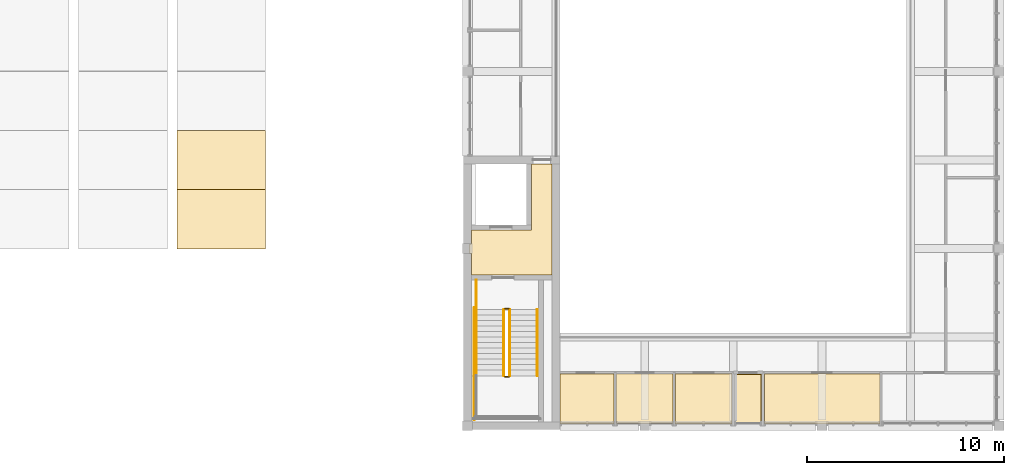
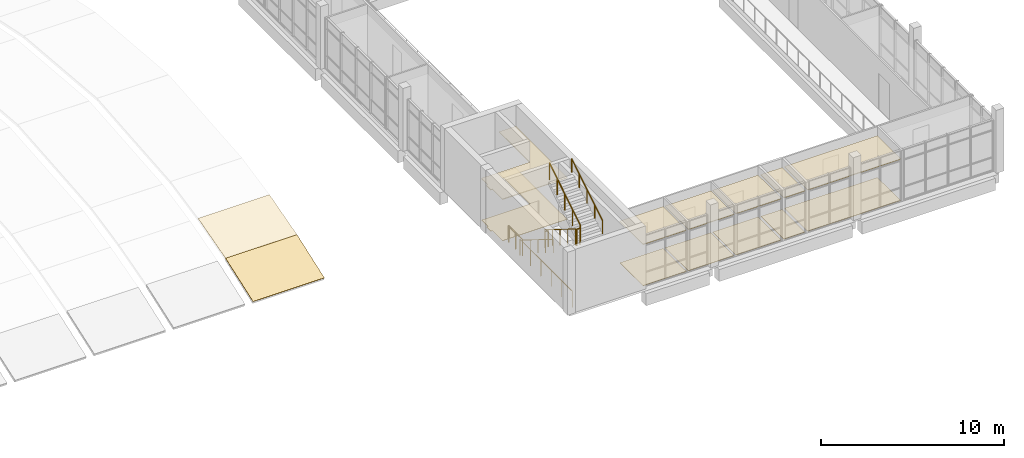
# One storey, part 58 of 74: 14 coverings, 8 railings.
"""IFC4 building model written with IfcOpenShell, lengths in metres."""

import ifcopenshell
import ifcopenshell.guid

model = None  # the IFC model being written
_history = None  # IfcOwnerHistory: only IFC2X3 demands one
_inside = {}  # id of a spatial element -> (the spatial element, [elements in it])
_under = {}  # id of a project, library or spatial element -> (it, [spatial elements below it])
_declared = {}  # id of a project -> (the project, [libraries it declares])
_typed = {}  # id of a type object -> (the type object, [elements of that type])
_made_of = {}  # id of a material, layer set ... -> (it, [elements and type objects made of it])


def new_model(schema):
    """Start an empty IFC model of exactly this schema.

    Asked for "IFC4X3", IfcOpenShell would pick the latest addendum, in which some entities
    have other attributes; the version numbers below select the first issue.
    IFC2X3 requires an IfcOwnerHistory on every rooted entity: one is made here for all.
    """
    global model, _history
    if schema == "IFC4X3":
        model = ifcopenshell.file(schema_version=(4, 3, 0, 0))
    else:
        model = ifcopenshell.file(schema=schema)
    _inside.clear()
    _under.clear()
    _declared.clear()
    _typed.clear()
    _made_of.clear()
    _history = None
    if model.schema == "IFC2X3":
        org = make("IfcOrganization", Name="unknown")
        user = make(
            "IfcPersonAndOrganization",
            ThePerson=make("IfcPerson", FamilyName="unknown"),
            TheOrganization=org,
        )
        app = make(
            "IfcApplication",
            ApplicationDeveloper=org,
            Version="unknown",
            ApplicationFullName="unknown",
            ApplicationIdentifier="unknown",
        )
        _history = make(
            "IfcOwnerHistory",
            OwningUser=user,
            OwningApplication=app,
            ChangeAction="ADDED",
            CreationDate=0,
        )
    return model


def make(cls, **values):
    """One entity of the class cls with the attributes given. An attribute that is None is left unset."""
    return model.create_entity(
        cls, **{name: value for name, value in values.items() if value is not None}
    )


def rooted(cls, **values):
    """An entity with a GlobalId (a new one), such as an element, a storey or a relation."""
    return make(cls, GlobalId=ifcopenshell.guid.new(), OwnerHistory=_history, **values)


def si_unit(unit_type, name, prefix=None):
    """IfcSIUnit, for example si_unit("LENGTHUNIT", "METRE", prefix="MILLI")."""
    return make("IfcSIUnit", UnitType=unit_type, Prefix=prefix, Name=name)


def assignment(units):
    """IfcUnitAssignment: the units of a project."""
    return None if units is None else make("IfcUnitAssignment", Units=units)


def point(xyz):
    """IfcCartesianPoint."""
    return None if xyz is None else make("IfcCartesianPoint", Coordinates=xyz)


def direction(xyz):
    """IfcDirection."""
    return None if xyz is None else make("IfcDirection", DirectionRatios=xyz)


def frame(location, z_axis=None, x_axis=None):
    """IfcAxis2Placement3D, a coordinate frame: its origin and axes. An axis left out is left unset."""
    return make(
        "IfcAxis2Placement3D",
        Location=point(location),
        Axis=direction(z_axis),
        RefDirection=direction(x_axis),
    )


def frame_2d(location, x_axis=None):
    """IfcAxis2Placement2D, a coordinate frame in the plane: its origin and x axis."""
    return make(
        "IfcAxis2Placement2D", Location=point(location), RefDirection=direction(x_axis)
    )


def origin():
    """The frame at (0, 0, 0) with its axes left unset."""
    return frame((0.0, 0.0, 0.0))


def origin_2d():
    """The frame at (0, 0) in the plane with its x axis left unset."""
    return frame_2d((0.0, 0.0))


def place(relative_to, where):
    """IfcLocalPlacement: puts the frame where relative to a parent placement (None: the world)."""
    return make(
        "IfcLocalPlacement", PlacementRelTo=relative_to, RelativePlacement=where
    )


def context(
    kind, dimensions, precision=None, world=None, true_north=None, identifier=None
):
    """IfcGeometricRepresentationContext, for example the 3D "Model" context."""
    return make(
        "IfcGeometricRepresentationContext",
        ContextIdentifier=identifier,
        ContextType=kind,
        CoordinateSpaceDimension=dimensions,
        Precision=precision,
        WorldCoordinateSystem=world,
        TrueNorth=true_north,
    )


def subcontext(parent, identifier, kind, view, scale=None):
    """IfcGeometricRepresentationSubContext, for example "Body" below "Model"."""
    return make(
        "IfcGeometricRepresentationSubContext",
        ContextIdentifier=identifier,
        ContextType=kind,
        ParentContext=parent,
        TargetScale=scale,
        TargetView=view,
    )


def project(units=None, contexts=None):
    """IfcProject with its units and contexts."""
    return rooted(
        "IfcProject",
        Name="project",
        RepresentationContexts=contexts,
        UnitsInContext=assignment(units),
    )


def spatial(cls, under=None, at=None, **own):
    """A site, building, storey or space (cls), placed at a placement, below another one or the project."""
    s = rooted(cls, ObjectPlacement=at, **own)
    if under is not None:
        _under.setdefault(under.id(), (under, []))[1].append(s)
    return s


def polyline(points):
    """IfcPolyline through the points."""
    return make("IfcPolyline", Points=[point(p) for p in points])


def profile(cls, at=None, kind="AREA", **sizes):
    """A parametric profile (cls). Its sizes go by their IFC names, for example OverallWidth=200.0."""
    return make(cls, ProfileType=kind, Position=at, **sizes)


def circle(**sizes):
    """IfcCircleProfileDef."""
    return profile("IfcCircleProfileDef", **sizes)


def outline(outer, holes=None, kind="AREA"):
    """IfcArbitraryClosedProfileDef: a profile drawn as a closed curve; with holes, ...WithVoids."""
    if holes is None:
        return make("IfcArbitraryClosedProfileDef", ProfileType=kind, OuterCurve=outer)
    return make(
        "IfcArbitraryProfileDefWithVoids",
        ProfileType=kind,
        OuterCurve=outer,
        InnerCurves=holes,
    )


def extrude(swept, where, along, depth):
    """IfcExtrudedAreaSolid: the profile swept, set in the frame where, extruded along a direction by depth."""
    return make(
        "IfcExtrudedAreaSolid",
        SweptArea=swept,
        Position=where,
        ExtrudedDirection=direction(along),
        Depth=depth,
    )


def shape(context_of_items, identifier, shape_type, items):
    """IfcShapeRepresentation: the items that make up one representation, for example the "Body"."""
    return make(
        "IfcShapeRepresentation",
        ContextOfItems=context_of_items,
        RepresentationIdentifier=identifier,
        RepresentationType=shape_type,
        Items=items,
    )


def material(Name=None, Category=None):
    """IfcMaterial."""
    return make("IfcMaterial", Name=Name, Category=Category)


def layer(
    of_material, thickness, ventilated=None, Name=None, Category=None, Priority=None
):
    """IfcMaterialLayer: one layer of a wall or slab, of a material (None: an air gap)."""
    return make(
        "IfcMaterialLayer",
        Material=of_material,
        LayerThickness=thickness,
        IsVentilated=ventilated,
        Name=Name,
        Category=Category,
        Priority=Priority,
    )


def layer_set(layers, Name=None):
    """IfcMaterialLayerSet."""
    return make("IfcMaterialLayerSet", MaterialLayers=layers, LayerSetName=Name)


def made_of(thing, what):
    """Note that an element or type object is made of a material, layer set ...; save() writes the relation."""
    if what is not None:
        _made_of.setdefault(what.id(), (what, []))[1].append(thing)
    return thing


def type_object(cls, material=None, **own):
    """A type object (cls), such as IfcWallType, which elements share."""
    return made_of(rooted(cls, **own), material)


def element(
    cls,
    number,
    at=None,
    inside=None,
    cuts=None,
    type_object=None,
    material=None,
    context=None,
    identifier="Body",
    shape_type=None,
    held_by="IfcProductDefinitionShape",
    body=None,
    shapes=None,
    **own,
):
    """One element of the class cls, such as IfcWall. Its Tag is "e" and its number.

    at: its placement. inside: the storey or other place that contains it. cuts: it is an
    opening in that element (IfcRelVoidsElement). A single representation is given by context,
    identifier, shape_type and body (its items); several are given by shapes. held_by: the class
    of the entity that holds the representations. save() writes the other relations.
    """
    e = rooted(cls, Tag="e%d" % number, ObjectPlacement=at, **own)
    if body is not None:
        shapes = [shape(context, identifier, shape_type, body)]
    if shapes is not None:
        e.Representation = make(held_by, Representations=shapes)
    if inside is not None:
        _inside.setdefault(inside.id(), (inside, []))[1].append(e)
    if cuts is not None:
        rooted(
            "IfcRelVoidsElement", RelatingBuildingElement=cuts, RelatedOpeningElement=e
        )
    if type_object is not None:
        _typed.setdefault(type_object.id(), (type_object, []))[1].append(e)
    return made_of(e, material)


def aggregate(whole, parts):
    """IfcRelAggregates: a whole, such as a stair, and the parts it consists of."""
    return rooted("IfcRelAggregates", RelatingObject=whole, RelatedObjects=parts)


def save(model, path):
    """Write the relations noted so far, then the file.

    IfcRelAggregates (storeys below a building ...), IfcRelContainedInSpatialStructure (elements
    in a storey), IfcRelDefinesByType, IfcRelAssociatesMaterial and IfcRelDeclares: one each for
    every whole, place, type object, material and project.
    """
    for whole, parts in _under.values():
        aggregate(whole, parts)
    for where, things in _inside.values():
        rooted(
            "IfcRelContainedInSpatialStructure",
            RelatedElements=things,
            RelatingStructure=where,
        )
    for kind, things in _typed.values():
        rooted("IfcRelDefinesByType", RelatedObjects=things, RelatingType=kind)
    for what, things in _made_of.values():
        rooted("IfcRelAssociatesMaterial", RelatedObjects=things, RelatingMaterial=what)
    for by, libraries in _declared.values():
        rooted("IfcRelDeclares", RelatingContext=by, RelatedDefinitions=libraries)
    model.write(path)


model = new_model("IFC4")

# Units and contexts
model_context = context("Model", 3, precision=1e-05, world=origin(), true_north=direction((0.0, 1.0)))
body_context = subcontext(model_context, "Body", "Model", "MODEL_VIEW")
ifc_project = project(units=[si_unit("LENGTHUNIT", "METRE"), si_unit("AREAUNIT", "SQUARE_METRE"), si_unit("VOLUMEUNIT", "CUBIC_METRE"), si_unit("PLANEANGLEUNIT", "RADIAN"), si_unit("MASSUNIT", "GRAM", prefix="KILO")], contexts=[model_context])

# Site, building, storey
site_placement = place(None, origin())
site = spatial("IfcSite", under=ifc_project, at=site_placement, CompositionType="ELEMENT")
building_placement = place(site_placement, origin())
building = spatial("IfcBuilding", under=site, at=building_placement, Name="Merrow Basin Faculty of Sciences", CompositionType="ELEMENT")
storey_placement = place(building_placement, frame((0.0, 0.0, 13.5)))
storey = spatial("IfcBuildingStorey", under=building, at=storey_placement, Name="L03", CompositionType="ELEMENT", Elevation=13.5)

# Coverings
ifc_material_1 = material(Name="Carpet tile floor")
ifc_layer_1 = layer(ifc_material_1, 0.02001953125)
ifc_layer_set_1 = layer_set([ifc_layer_1], Name="Carpet tile floor")
covering_type_1 = type_object("IfcCoveringType", Name="Carpet tile floor", PredefinedType="FLOORING", material=ifc_layer_set_1)
covering_1_placement = place(storey_placement, origin())
element("IfcCovering", 1, at=covering_1_placement, inside=storey, type_object=covering_type_1, Name="Floor finish L03-A-011", PredefinedType="FLOORING", context=body_context, shape_type="SweptSolid", body=[
    extrude(outline(polyline([(60.0849609375, 0.110107421875), (60.0849609375, 2.639892578125), (65.93994140625, 2.639892578125), (65.93994140625, 0.110107421875), (60.0849609375, 0.110107421875)])), origin(), (0.0, 0.0, 1.0), 0.02001953125),
])
ifc_material_2 = material(Name="Ceramic floor tile")
ifc_layer_2 = layer(ifc_material_2, 0.02001953125)
ifc_layer_set_2 = layer_set([ifc_layer_2], Name="Ceramic floor tile")
covering_type_2 = type_object("IfcCoveringType", Name="Ceramic floor tile", PredefinedType="FLOORING", material=ifc_layer_set_2)
covering_2_placement = place(storey_placement, origin())
element("IfcCovering", 2, at=covering_2_placement, inside=storey, type_object=covering_type_2, Name="Floor finish L03-A-007", PredefinedType="FLOORING", context=body_context, shape_type="SweptSolid", body=[
    extrude(outline(polyline([(49.7099609375, 0.110107421875), (49.7099609375, 2.639892578125), (52.43994140625, 2.639892578125), (52.43994140625, 0.110107421875), (49.7099609375, 0.110107421875)])), origin(), (0.0, 0.0, 1.0), 0.02001953125),
])
covering_3_placement = place(storey_placement, origin())
element("IfcCovering", 3, at=covering_3_placement, inside=storey, type_object=covering_type_2, Name="Floor finish L03-A-008", PredefinedType="FLOORING", context=body_context, shape_type="SweptSolid", body=[
    extrude(outline(polyline([(52.56005859375, 0.110107421875), (52.56005859375, 2.639892578125), (55.43994140625, 2.639892578125), (55.43994140625, 0.110107421875), (52.56005859375, 0.110107421875)])), origin(), (0.0, 0.0, 1.0), 0.02001953125),
])
covering_4_placement = place(storey_placement, origin())
element("IfcCovering", 4, at=covering_4_placement, inside=storey, type_object=covering_type_2, Name="Floor finish L03-A-009", PredefinedType="FLOORING", context=body_context, shape_type="SweptSolid", body=[
    extrude(outline(polyline([(55.56005859375, 0.110107421875), (55.56005859375, 2.639892578125), (58.4150390625, 2.639892578125), (58.4150390625, 0.110107421875), (55.56005859375, 0.110107421875)])), origin(), (0.0, 0.0, 1.0), 0.02001953125),
])
ifc_material_3 = material(Name="Polished terrazzo floor")
ifc_layer_3 = layer(ifc_material_3, 0.02001953125)
ifc_layer_set_3 = layer_set([ifc_layer_3], Name="Polished terrazzo floor")
covering_type_3 = type_object("IfcCoveringType", Name="Polished terrazzo floor", PredefinedType="FLOORING", material=ifc_layer_set_3)
covering_5_placement = place(storey_placement, origin())
element("IfcCovering", 5, at=covering_5_placement, inside=storey, type_object=covering_type_3, Name="Floor finish L03-A-003", PredefinedType="FLOORING", context=body_context, shape_type="SweptSolid", body=[
    extrude(outline(polyline([(45.110107421875, 9.239990234375), (45.2099609375, 9.239990234375), (45.2099609375, 9.93994140625), (48.260009765625, 9.93994140625), (48.260009765625, 13.2900390625), (49.2900390625, 13.2900390625), (49.2900390625, 7.659912109375), (45.2099609375, 7.659912109375), (45.2099609375, 8.760009765625), (45.110107421875, 8.760009765625), (45.110107421875, 9.239990234375)])), origin(), (0.0, 0.0, 1.0), 0.02001953125),
])
ifc_material_4 = material(Name="Sealed concrete floor", Category="concrete")
ifc_layer_4 = layer(ifc_material_4, 0.02001953125)
ifc_layer_set_4 = layer_set([ifc_layer_4], Name="Sealed concrete floor")
covering_type_4 = type_object("IfcCoveringType", Name="Sealed concrete floor", PredefinedType="FLOORING", material=ifc_layer_set_4)
covering_6_placement = place(storey_placement, origin())
element("IfcCovering", 6, at=covering_6_placement, inside=storey, type_object=covering_type_4, Name="Floor finish L03-A-010", PredefinedType="FLOORING", context=body_context, shape_type="SweptSolid", body=[
    extrude(outline(polyline([(58.5849609375, 0.110107421875), (58.5849609375, 2.614990234375), (59.9150390625, 2.614990234375), (59.9150390625, 0.110107421875), (58.5849609375, 0.110107421875)])), origin(), (0.0, 0.0, 1.0), 0.02001953125),
])
ifc_material_5 = material(Name="Bituminous roofing membrane")
ifc_layer_5 = layer(ifc_material_5, 0.030029296875)
ifc_layer_set_5 = layer_set([ifc_layer_5], Name="Shell waterproofing 30")
covering_type_5 = type_object("IfcCoveringType", Name="Shell waterproofing 30", PredefinedType="ROOFING", material=ifc_layer_set_5)
covering_7_placement = place(storey_placement, frame((30.25, 8.989990234375, 0.39794921875), z_axis=(0.0, -0.334256016582, 0.942482315685), x_axis=(1.0, 0.0, 0.0)))
element("IfcCovering", 7, at=covering_7_placement, inside=storey, type_object=covering_type_5, Name="Shell waterproofing", PredefinedType="ROOFING", context=body_context, shape_type="SweptSolid", body=[
    extrude(outline(polyline([(0.0, 0.0), (4.5, 0.0), (4.5, 3.183083597509805), (0.0, 3.183083597509805), (0.0, 0.0)])), origin(), (0.0, 0.0, -1.0), 0.030029296875),
])
covering_8_placement = place(storey_placement, frame((30.25, 11.991943359375, 1.462890625), z_axis=(0.0, -0.269365379975, 0.963038053283), x_axis=(1.0, 0.0, 0.0)))
element("IfcCovering", 8, at=covering_8_placement, inside=storey, type_object=covering_type_5, Name="Shell waterproofing", PredefinedType="ROOFING", context=body_context, shape_type="SweptSolid", body=[
    extrude(outline(polyline([(0.0, 0.0), (4.5, 0.0), (4.5, 3.115141701590427), (0.0, 3.115141701590427), (0.0, 0.0)])), origin(), (0.0, 0.0, -1.0), 0.030029296875),
])

# Railings
ifc_material_6 = material(Name="Steel ASTM A36", Category="steel")
railing_type_1 = type_object("IfcRailingType", Name="Steel guard 1100", PredefinedType="GUARDRAIL", material=ifc_material_6)
railing_1_placement = place(storey_placement, frame((46.85009765625, 5.89990234375, 0.173095703125)))
element("IfcRailing", 9, at=railing_1_placement, inside=storey, type_object=railing_type_1, Name="L03 ST-V3-W stair guard 1", PredefinedType="GUARDRAIL", context=body_context, shape_type="SweptSolid", body=[
    extrude(circle(Radius=0.02392578125, at=origin_2d()), frame((0.0, 0.0, 1.076171875), z_axis=(0.0, -0.850606129759, 0.525803396734), x_axis=(1.0, 0.0, 0.0)), (0.0, 0.0, 1.0), 3.949951171875),
    extrude(circle(Radius=0.02099609375, at=origin_2d()), origin(), (0.0, 0.0, 1.0), 1.052001953125),
    extrude(circle(Radius=0.02099609375, at=origin_2d()), frame((0.0, -0.83984375, 0.519287109375)), (0.0, 0.0, 1.0), 1.052001953125),
    extrude(circle(Radius=0.02099609375, at=origin_2d()), frame((0.0, -1.679931640625, 1.03857421875)), (0.0, 0.0, 1.0), 1.052001953125),
    extrude(circle(Radius=0.02099609375, at=origin_2d()), frame((0.0, -2.52001953125, 1.5576171875)), (0.0, 0.0, 1.0), 1.052001953125),
    extrude(circle(Radius=0.02099609375, at=origin_2d()), frame((0.0, -3.35986328125, 2.076904296875)), (0.0, 0.0, 1.0), 1.052001953125),
])
railing_2_placement = place(storey_placement, frame((46.89990234375, 2.489990234375, 2.25)))
element("IfcRailing", 10, at=railing_2_placement, inside=storey, type_object=railing_type_1, Name="L03 ST-V3-W stair guard 2", PredefinedType="GUARDRAIL", context=body_context, shape_type="SweptSolid", body=[
    extrude(circle(Radius=0.02392578125, at=origin_2d()), frame((0.0, 0.0, 1.076171875), z_axis=(1.0, 0.0, 0.0), x_axis=(0.0, 1.0, 0.0)), (0.0, 0.0, 1.0), 0.2001953125),
    extrude(circle(Radius=0.02099609375, at=origin_2d()), origin(), (0.0, 0.0, 1.0), 1.052001953125),
    extrude(circle(Radius=0.02099609375, at=origin_2d()), frame((0.2001953125, 0.0, 0.0)), (0.0, 0.0, 1.0), 1.052001953125),
])
railing_3_placement = place(storey_placement, frame((47.14990234375, 2.5400390625, 2.423095703125)))
element("IfcRailing", 11, at=railing_3_placement, inside=storey, type_object=railing_type_1, Name="L03 ST-V3-W stair guard 5", PredefinedType="GUARDRAIL", context=body_context, shape_type="SweptSolid", body=[
    extrude(circle(Radius=0.02392578125, at=origin_2d()), frame((0.0, 0.0, 1.076171875), z_axis=(0.0, 0.850606129759, 0.525803396734), x_axis=(-1.0, 0.0, 0.0)), (0.0, 0.0, 1.0), 3.949951171875),
    extrude(circle(Radius=0.02099609375, at=origin_2d()), origin(), (0.0, 0.0, 1.0), 1.052001953125),
    extrude(circle(Radius=0.02099609375, at=origin_2d()), frame((0.0, 0.83984375, 0.519287109375)), (0.0, 0.0, 1.0), 1.052001953125),
    extrude(circle(Radius=0.02099609375, at=origin_2d()), frame((0.0, 1.679931640625, 1.03857421875)), (0.0, 0.0, 1.0), 1.052001953125),
    extrude(circle(Radius=0.02099609375, at=origin_2d()), frame((0.0, 2.52001953125, 1.5576171875)), (0.0, 0.0, 1.0), 1.052001953125),
    extrude(circle(Radius=0.02099609375, at=origin_2d()), frame((0.0, 3.35986328125, 2.076904296875)), (0.0, 0.0, 1.0), 1.052001953125),
])
railing_4_placement = place(storey_placement, frame((46.89990234375, 5.949951171875, 0.0)))
element("IfcRailing", 12, at=railing_4_placement, inside=storey, type_object=railing_type_1, Name="L03 ST-V3-W stair guard 6", PredefinedType="GUARDRAIL", context=body_context, shape_type="SweptSolid", body=[
    extrude(circle(Radius=0.02392578125, at=origin_2d()), frame((0.0, 0.0, 1.076171875), z_axis=(1.0, 0.0, 0.0), x_axis=(0.0, 1.0, 0.0)), (0.0, 0.0, 1.0), 0.2001953125),
    extrude(circle(Radius=0.02099609375, at=origin_2d()), origin(), (0.0, 0.0, 1.0), 1.052001953125),
    extrude(circle(Radius=0.02099609375, at=origin_2d()), frame((0.2001953125, 0.0, 0.0)), (0.0, 0.0, 1.0), 1.052001953125),
])
railing_5_placement = place(storey_placement, frame((45.449951171875, 7.39990234375, 0.0)))
element("IfcRailing", 13, at=railing_5_placement, inside=storey, type_object=railing_type_1, Name="L03 ST-V3-W stair guard 7", PredefinedType="GUARDRAIL", context=body_context, shape_type="SweptSolid", body=[
    extrude(circle(Radius=0.02392578125, at=origin_2d()), frame((0.0, 0.0, 1.076171875), z_axis=(0.0, -1.0, 0.0), x_axis=(1.0, 0.0, 0.0)), (0.0, 0.0, 1.0), 1.5),
    extrude(circle(Radius=0.02099609375, at=origin_2d()), origin(), (0.0, 0.0, 1.0), 1.052001953125),
    extrude(circle(Radius=0.02099609375, at=origin_2d()), frame((0.0, -0.75, 0.0)), (0.0, 0.0, 1.0), 1.052001953125),
    extrude(circle(Radius=0.02099609375, at=origin_2d()), frame((0.0, -1.5, 0.0)), (0.0, 0.0, 1.0), 1.052001953125),
])
railing_6_placement = place(storey_placement, frame((45.35009765625, 6.0, 0.0)))
element("IfcRailing", 14, at=railing_6_placement, inside=storey, type_object=railing_type_1, Name="L03 ST-V3-W stair guard 8", PredefinedType="GUARDRAIL", context=body_context, shape_type="SweptSolid", body=[
    extrude(circle(Radius=0.02392578125, at=origin_2d()), frame((0.0, 0.0, 1.076171875), z_axis=(0.0, -1.0, 0.0), x_axis=(1.0, 0.0, 0.0)), (0.0, 0.0, 1.0), 5.699951171875),
    extrude(circle(Radius=0.02099609375, at=origin_2d()), origin(), (0.0, 0.0, 1.0), 1.052001953125),
    extrude(circle(Radius=0.02099609375, at=origin_2d()), frame((0.0, -1.139892578125, 0.0)), (0.0, 0.0, 1.0), 1.052001953125),
    extrude(circle(Radius=0.02099609375, at=origin_2d()), frame((0.0, -2.280029296875, 0.0)), (0.0, 0.0, 1.0), 1.052001953125),
    extrude(circle(Radius=0.02099609375, at=origin_2d()), frame((0.0, -3.419921875, 0.0)), (0.0, 0.0, 1.0), 1.052001953125),
    extrude(circle(Radius=0.02099609375, at=origin_2d()), frame((0.0, -4.56005859375, 0.0)), (0.0, 0.0, 1.0), 1.052001953125),
    extrude(circle(Radius=0.02099609375, at=origin_2d()), frame((0.0, -5.699951171875, 0.0)), (0.0, 0.0, 1.0), 1.052001953125),
])
ifc_material_7 = material(Name="Steel ASTM A36", Category="steel")
railing_type_2 = type_object("IfcRailingType", Name="Steel handrail 900", PredefinedType="HANDRAIL", material=ifc_material_7)
railing_7_placement = place(storey_placement, frame((45.449951171875, 5.89990234375, 0.173095703125)))
element("IfcRailing", 15, at=railing_7_placement, inside=storey, type_object=railing_type_2, Name="L03 ST-V3-W stair handrail 1", PredefinedType="HANDRAIL", context=body_context, shape_type="SweptSolid", body=[
    extrude(circle(Radius=0.02392578125, at=origin_2d()), frame((0.0, 0.0, 0.8759765625), z_axis=(0.0, -0.850606129759, 0.525803396734), x_axis=(1.0, 0.0, 0.0)), (0.0, 0.0, 1.0), 3.949951171875),
    extrude(circle(Radius=0.02099609375, at=origin_2d()), origin(), (0.0, 0.0, 1.0), 0.851806640625),
    extrude(circle(Radius=0.02099609375, at=origin_2d()), frame((0.0, -0.83984375, 0.519287109375)), (0.0, 0.0, 1.0), 0.851806640625),
    extrude(circle(Radius=0.02099609375, at=origin_2d()), frame((0.0, -1.679931640625, 1.03857421875)), (0.0, 0.0, 1.0), 0.851806640625),
    extrude(circle(Radius=0.02099609375, at=origin_2d()), frame((0.0, -2.52001953125, 1.5576171875)), (0.0, 0.0, 1.0), 0.851806640625),
    extrude(circle(Radius=0.02099609375, at=origin_2d()), frame((0.0, -3.35986328125, 2.076904296875)), (0.0, 0.0, 1.0), 0.851806640625),
])
railing_8_placement = place(storey_placement, frame((48.550048828125, 2.5400390625, 2.423095703125)))
element("IfcRailing", 16, at=railing_8_placement, inside=storey, type_object=railing_type_2, Name="L03 ST-V3-W stair handrail 2", PredefinedType="HANDRAIL", context=body_context, shape_type="SweptSolid", body=[
    extrude(circle(Radius=0.02392578125, at=origin_2d()), frame((0.0, 0.0, 0.8759765625), z_axis=(0.0, 0.850606129759, 0.525803396734), x_axis=(-1.0, 0.0, 0.0)), (0.0, 0.0, 1.0), 3.949951171875),
    extrude(circle(Radius=0.02099609375, at=origin_2d()), origin(), (0.0, 0.0, 1.0), 0.851806640625),
    extrude(circle(Radius=0.02099609375, at=origin_2d()), frame((0.0, 0.83984375, 0.519287109375)), (0.0, 0.0, 1.0), 0.851806640625),
    extrude(circle(Radius=0.02099609375, at=origin_2d()), frame((0.0, 1.679931640625, 1.03857421875)), (0.0, 0.0, 1.0), 0.851806640625),
    extrude(circle(Radius=0.02099609375, at=origin_2d()), frame((0.0, 2.52001953125, 1.5576171875)), (0.0, 0.0, 1.0), 0.851806640625),
    extrude(circle(Radius=0.02099609375, at=origin_2d()), frame((0.0, 3.35986328125, 2.076904296875)), (0.0, 0.0, 1.0), 0.851806640625),
])

# Coverings
ifc_material_8 = material(Name="Mineral fibre ceiling tile")
ifc_layer_6 = layer(ifc_material_8, 0.050048828125)
ifc_layer_set_6 = layer_set([ifc_layer_6], Name="Suspended acoustic ceiling tile")
covering_type_6 = type_object("IfcCoveringType", Name="Suspended acoustic ceiling tile", PredefinedType="CEILING", material=ifc_layer_set_6)
covering_9_placement = place(storey_placement, frame((0.0, 0.0, 2.75)))
element("IfcCovering", 17, at=covering_9_placement, inside=storey, type_object=covering_type_6, Name="Ceiling L03-A-003", PredefinedType="CEILING", context=body_context, shape_type="SweptSolid", body=[
    extrude(outline(polyline([(45.10009765625, 9.25), (45.199951171875, 9.25), (45.199951171875, 9.949951171875), (48.25, 9.949951171875), (48.25, 13.300048828125), (49.300048828125, 13.300048828125), (49.300048828125, 7.64990234375), (45.199951171875, 7.64990234375), (45.199951171875, 8.75), (45.10009765625, 8.75), (45.10009765625, 9.25)])), origin(), (0.0, 0.0, 1.0), 0.050048828125),
])
covering_10_placement = place(storey_placement, frame((0.0, 0.0, 2.75)))
element("IfcCovering", 18, at=covering_10_placement, inside=storey, type_object=covering_type_6, Name="Ceiling L03-A-007", PredefinedType="CEILING", context=body_context, shape_type="SweptSolid", body=[
    extrude(outline(polyline([(49.699951171875, 0.10009765625), (49.699951171875, 2.64990234375), (52.449951171875, 2.64990234375), (52.449951171875, 0.10009765625), (49.699951171875, 0.10009765625)])), origin(), (0.0, 0.0, 1.0), 0.050048828125),
])
covering_11_placement = place(storey_placement, frame((0.0, 0.0, 2.75)))
element("IfcCovering", 19, at=covering_11_placement, inside=storey, type_object=covering_type_6, Name="Ceiling L03-A-008", PredefinedType="CEILING", context=body_context, shape_type="SweptSolid", body=[
    extrude(outline(polyline([(52.550048828125, 0.10009765625), (52.550048828125, 2.64990234375), (55.449951171875, 2.64990234375), (55.449951171875, 0.10009765625), (52.550048828125, 0.10009765625)])), origin(), (0.0, 0.0, 1.0), 0.050048828125),
])
covering_12_placement = place(storey_placement, frame((0.0, 0.0, 2.75)))
element("IfcCovering", 20, at=covering_12_placement, inside=storey, type_object=covering_type_6, Name="Ceiling L03-A-009", PredefinedType="CEILING", context=body_context, shape_type="SweptSolid", body=[
    extrude(outline(polyline([(55.550048828125, 0.10009765625), (55.550048828125, 2.64990234375), (58.425048828125, 2.64990234375), (58.425048828125, 0.10009765625), (55.550048828125, 0.10009765625)])), origin(), (0.0, 0.0, 1.0), 0.050048828125),
])
covering_13_placement = place(storey_placement, frame((0.0, 0.0, 2.75)))
element("IfcCovering", 21, at=covering_13_placement, inside=storey, type_object=covering_type_6, Name="Ceiling L03-A-010", PredefinedType="CEILING", context=body_context, shape_type="SweptSolid", body=[
    extrude(outline(polyline([(58.574951171875, 0.10009765625), (58.574951171875, 2.625), (59.925048828125, 2.625), (59.925048828125, 0.10009765625), (58.574951171875, 0.10009765625)])), origin(), (0.0, 0.0, 1.0), 0.050048828125),
])
covering_14_placement = place(storey_placement, frame((0.0, 0.0, 2.75)))
element("IfcCovering", 22, at=covering_14_placement, inside=storey, type_object=covering_type_6, Name="Ceiling L03-A-011", PredefinedType="CEILING", context=body_context, shape_type="SweptSolid", body=[
    extrude(outline(polyline([(60.074951171875, 0.10009765625), (60.074951171875, 2.64990234375), (65.949951171875, 2.64990234375), (65.949951171875, 0.10009765625), (60.074951171875, 0.10009765625)])), origin(), (0.0, 0.0, 1.0), 0.050048828125),
])

save(model, "model.ifc")
